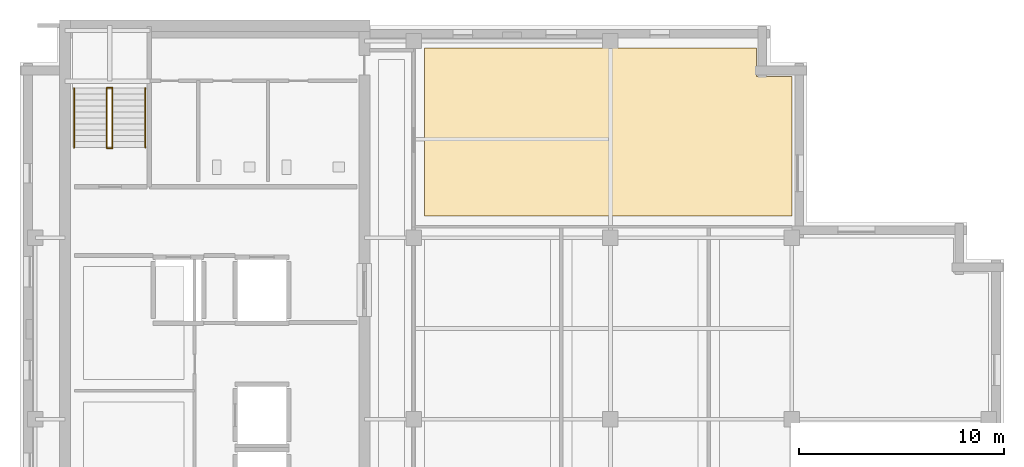
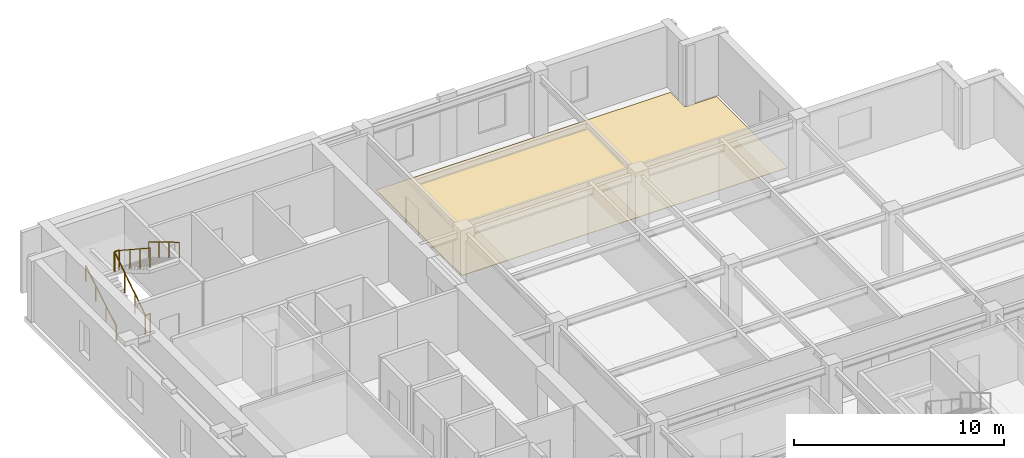
# One storey, part 9 of 10: 6 railings, 1 covering.
"""IFC4 building model written with IfcOpenShell, lengths in metres."""

from ifc_helpers import new_model, si_unit, direction, frame, origin, origin_2d, place, context, subcontext, project, spatial, polyline, circle, outline, extrude, material, layer, layer_set, type_object, element, save


model = new_model("IFC4")

# Units and contexts
model_context = context("Model", 3, precision=1e-05, world=origin(), true_north=direction((0.0, 1.0)))
body_context = subcontext(model_context, "Body", "Model", "MODEL_VIEW")
ifc_project = project(units=[si_unit("LENGTHUNIT", "METRE"), si_unit("AREAUNIT", "SQUARE_METRE"), si_unit("VOLUMEUNIT", "CUBIC_METRE"), si_unit("PLANEANGLEUNIT", "RADIAN"), si_unit("MASSUNIT", "GRAM", prefix="KILO")], contexts=[model_context])

# Site, building, storey
site_placement = place(None, origin())
site = spatial("IfcSite", under=ifc_project, at=site_placement, CompositionType="ELEMENT")
building_placement = place(site_placement, origin())
building = spatial("IfcBuilding", under=site, at=building_placement, Name="Norrvale University Quadrangle", CompositionType="ELEMENT")
storey_placement = place(building_placement, frame((0.0, 0.0, 265.800048828125)))
storey = spatial("IfcBuildingStorey", under=building, at=storey_placement, Name="L67", CompositionType="ELEMENT", Elevation=265.800048828125)

# Covering
ifc_material_1 = material(Name="Polished Terrazzo Flooring")
ifc_layer = layer(ifc_material_1, 0.02490234375, Name="Polished Terrazzo Flooring")
ifc_layer_set = layer_set([ifc_layer], Name="Polished Terrazzo Flooring")
covering_type = type_object("IfcCoveringType", Name="Covering Terrazzo Floor 30", PredefinedType="FLOORING", material=ifc_layer_set)
covering_placement = place(storey_placement, origin())
element("IfcCovering", 1, at=covering_placement, inside=storey, type_object=covering_type, Name="Terrazzo Flooring RM-L67-NE01", PredefinedType="FLOORING", context=body_context, shape_type="SweptSolid", body=[
    extrude(outline(polyline([(37.64990234375, 38.7099609375), (19.72998046875, 38.7099609375), (19.72998046875, 46.919921875), (35.929931640625, 46.919921875), (35.929931640625, 45.530029296875), (37.64990234375, 45.530029296875), (37.64990234375, 38.7099609375)])), origin(), (0.0, 0.0, 1.0), 0.02490234375),
])

# Railings
ifc_material_2 = material(Name="Steel 350W Painted Balustrade", Category="steel")
railing_type_1 = type_object("IfcRailingType", Name="Railing Stair Guard 1100", PredefinedType="GUARDRAIL", material=ifc_material_2)
for number, where, name in (
    (2, (4.239990234375, 42.02001953125, 0.0), "Stair Floor Well Guard ST-02 L67"),
    (3, (4.239990234375, 44.97998046875, 1.89990234375), "Stair Mid-Landing Slot Guard ST-02 L67"),
):
    element("IfcRailing", number, at=place(storey_placement, frame(where)), inside=storey, type_object=railing_type_1, Name=name, PredefinedType="GUARDRAIL", context=body_context, shape_type="SweptSolid", body=[
        extrude(circle(Radius=0.02392578125, at=origin_2d()), frame((0.0, 0.0, 1.1259765625), z_axis=(1.0, 0.0, 0.0), x_axis=(0.0, 1.0, 0.0)), (0.0, 0.0, 1.0), 0.27001953125),
        extrude(circle(Radius=0.02099609375, at=origin_2d()), origin(), (0.0, 0.0, 1.0), 1.101806640625),
        extrude(circle(Radius=0.02099609375, at=origin_2d()), frame((0.27001953125, 0.0, 0.0)), (0.0, 0.0, 1.0), 1.101806640625),
    ])
railing_1_placement = place(storey_placement, frame((4.239990234375, 42.050048828125, 0.0)))
element("IfcRailing", 4, at=railing_1_placement, inside=storey, type_object=railing_type_1, Name="Stair Lower Flight Inner Guard ST-02 L67", PredefinedType="GUARDRAIL", context=body_context, shape_type="SweptSolid", body=[
    extrude(circle(Radius=0.02392578125, at=origin_2d()), frame((0.0, 0.0, 1.1259765625), z_axis=(0.0, 0.836465582154, 0.548019461216), x_axis=(-1.0, 0.0, 0.0)), (0.0, 0.0, 1.0), 3.466796875),
    extrude(circle(Radius=0.02099609375, at=origin_2d()), origin(), (0.0, 0.0, 1.0), 1.101806640625),
    extrude(circle(Radius=0.02099609375, at=origin_2d()), frame((0.0, 0.966552734375, 0.63330078125)), (0.0, 0.0, 1.0), 1.101806640625),
    extrude(circle(Radius=0.02099609375, at=origin_2d()), frame((0.0, 1.933349609375, 1.2666015625)), (0.0, 0.0, 1.0), 1.101806640625),
    extrude(circle(Radius=0.02099609375, at=origin_2d()), frame((0.0, 2.89990234375, 1.89990234375)), (0.0, 0.0, 1.0), 1.101806640625),
])
railing_2_placement = place(storey_placement, frame((4.510009765625, 44.949951171875, 1.89990234375)))
element("IfcRailing", 5, at=railing_2_placement, inside=storey, type_object=railing_type_1, Name="Stair Upper Flight Inner Guard ST-02 L67", PredefinedType="GUARDRAIL", context=body_context, shape_type="SweptSolid", body=[
    extrude(circle(Radius=0.02392578125, at=origin_2d()), frame((0.0, 0.0, 1.1259765625), z_axis=(0.0, -0.836433300813, 0.548068730445), x_axis=(1.0, 0.0, 0.0)), (0.0, 0.0, 1.0), 3.467041015625),
    extrude(circle(Radius=0.02099609375, at=origin_2d()), origin(), (0.0, 0.0, 1.0), 1.101806640625),
    extrude(circle(Radius=0.02099609375, at=origin_2d()), frame((0.0, -0.966552734375, 0.63330078125)), (0.0, 0.0, 1.0), 1.101806640625),
    extrude(circle(Radius=0.02099609375, at=origin_2d()), frame((0.0, -1.933349609375, 1.266845703125)), (0.0, 0.0, 1.0), 1.101806640625),
    extrude(circle(Radius=0.02099609375, at=origin_2d()), frame((0.0, -2.89990234375, 1.900146484375)), (0.0, 0.0, 1.0), 1.101806640625),
])
ifc_material_3 = material(Name="Stainless Steel 316L Handrail", Category="steel")
railing_type_2 = type_object("IfcRailingType", Name="Railing Stair Handrail 920", PredefinedType="HANDRAIL", material=ifc_material_3)
railing_3_placement = place(storey_placement, frame((2.639892578125, 42.050048828125, 0.172607421875)))
element("IfcRailing", 6, at=railing_3_placement, inside=storey, type_object=railing_type_2, Name="Stair Lower Flight Handrail ST-02 L67", PredefinedType="HANDRAIL", context=body_context, shape_type="SweptSolid", body=[
    extrude(circle(Radius=0.02392578125, at=origin_2d()), frame((0.0, 0.0, 0.89599609375), z_axis=(0.0, 0.859141464434, 0.511738159696), x_axis=(-1.0, 0.0, 0.0)), (0.0, 0.0, 1.0), 3.375244140625),
    extrude(circle(Radius=0.02099609375, at=origin_2d()), origin(), (0.0, 0.0, 1.0), 0.871826171875),
    extrude(circle(Radius=0.02099609375, at=origin_2d()), frame((0.0, 0.966552734375, 0.57568359375)), (0.0, 0.0, 1.0), 0.871826171875),
    extrude(circle(Radius=0.02099609375, at=origin_2d()), frame((0.0, 1.933349609375, 1.151611328125)), (0.0, 0.0, 1.0), 0.871826171875),
    extrude(circle(Radius=0.02099609375, at=origin_2d()), frame((0.0, 2.89990234375, 1.727294921875)), (0.0, 0.0, 1.0), 0.871826171875),
])
railing_4_placement = place(storey_placement, frame((6.110107421875, 44.949951171875, 2.07275390625)))
element("IfcRailing", 7, at=railing_4_placement, inside=storey, type_object=railing_type_2, Name="Stair Upper Flight Handrail ST-02 L67", PredefinedType="HANDRAIL", context=body_context, shape_type="SweptSolid", body=[
    extrude(circle(Radius=0.02392578125, at=origin_2d()), frame((0.0, 0.0, 0.89599609375), z_axis=(0.0, -0.859141464434, 0.511738159696), x_axis=(1.0, 0.0, 0.0)), (0.0, 0.0, 1.0), 3.375244140625),
    extrude(circle(Radius=0.02099609375, at=origin_2d()), origin(), (0.0, 0.0, 1.0), 0.871826171875),
    extrude(circle(Radius=0.02099609375, at=origin_2d()), frame((0.0, -0.966552734375, 0.57568359375)), (0.0, 0.0, 1.0), 0.871826171875),
    extrude(circle(Radius=0.02099609375, at=origin_2d()), frame((0.0, -1.933349609375, 1.151611328125)), (0.0, 0.0, 1.0), 0.871826171875),
    extrude(circle(Radius=0.02099609375, at=origin_2d()), frame((0.0, -2.89990234375, 1.727294921875)), (0.0, 0.0, 1.0), 0.871826171875),
])

save(model, "model.ifc")
